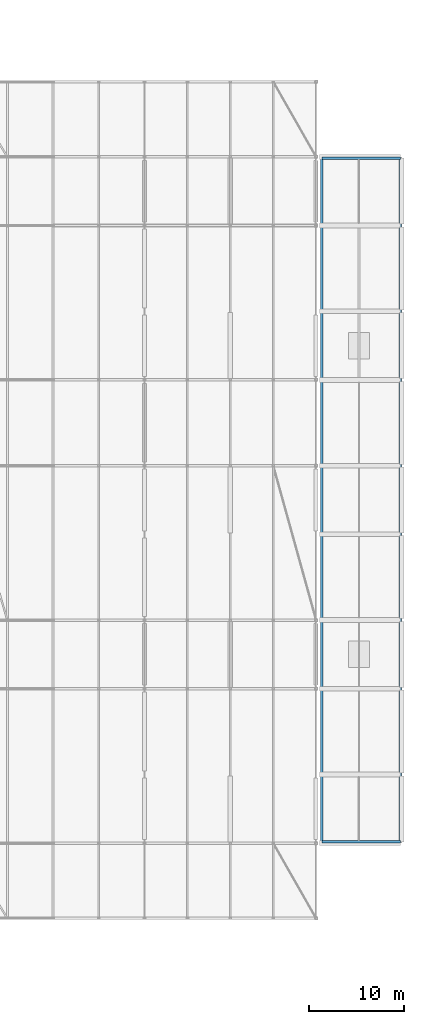
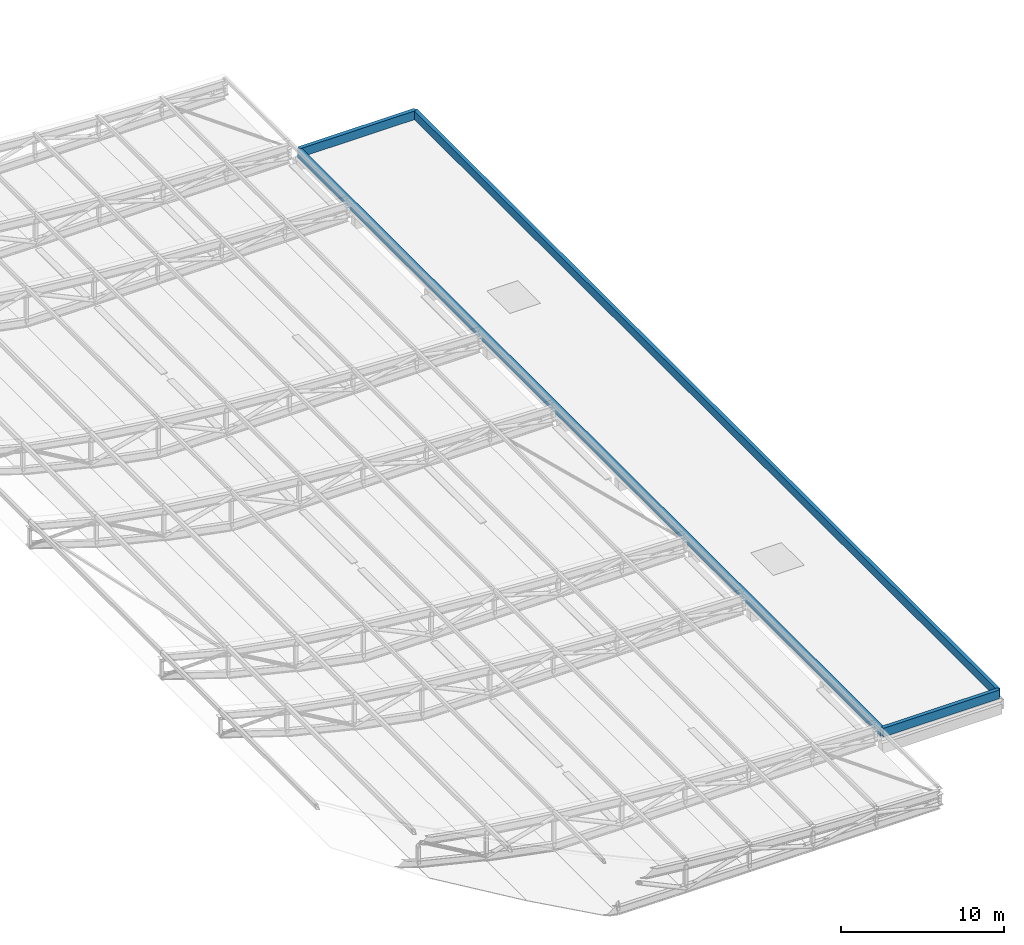
# One storey, part 106 of 114: 4 walls.
"""IFC4 building model written with IfcOpenShell, lengths in metres."""

import ifcopenshell
import ifcopenshell.guid

model = None  # the IFC model being written
_history = None  # IfcOwnerHistory: only IFC2X3 demands one
_inside = {}  # id of a spatial element -> (the spatial element, [elements in it])
_under = {}  # id of a project, library or spatial element -> (it, [spatial elements below it])
_declared = {}  # id of a project -> (the project, [libraries it declares])
_typed = {}  # id of a type object -> (the type object, [elements of that type])
_made_of = {}  # id of a material, layer set ... -> (it, [elements and type objects made of it])


def new_model(schema):
    """Start an empty IFC model of exactly this schema.

    Asked for "IFC4X3", IfcOpenShell would pick the latest addendum, in which some entities
    have other attributes; the version numbers below select the first issue.
    IFC2X3 requires an IfcOwnerHistory on every rooted entity: one is made here for all.
    """
    global model, _history
    if schema == "IFC4X3":
        model = ifcopenshell.file(schema_version=(4, 3, 0, 0))
    else:
        model = ifcopenshell.file(schema=schema)
    _inside.clear()
    _under.clear()
    _declared.clear()
    _typed.clear()
    _made_of.clear()
    _history = None
    if model.schema == "IFC2X3":
        org = make("IfcOrganization", Name="unknown")
        user = make(
            "IfcPersonAndOrganization",
            ThePerson=make("IfcPerson", FamilyName="unknown"),
            TheOrganization=org,
        )
        app = make(
            "IfcApplication",
            ApplicationDeveloper=org,
            Version="unknown",
            ApplicationFullName="unknown",
            ApplicationIdentifier="unknown",
        )
        _history = make(
            "IfcOwnerHistory",
            OwningUser=user,
            OwningApplication=app,
            ChangeAction="ADDED",
            CreationDate=0,
        )
    return model


def make(cls, **values):
    """One entity of the class cls with the attributes given. An attribute that is None is left unset."""
    return model.create_entity(
        cls, **{name: value for name, value in values.items() if value is not None}
    )


def rooted(cls, **values):
    """An entity with a GlobalId (a new one), such as an element, a storey or a relation."""
    return make(cls, GlobalId=ifcopenshell.guid.new(), OwnerHistory=_history, **values)


def si_unit(unit_type, name, prefix=None):
    """IfcSIUnit, for example si_unit("LENGTHUNIT", "METRE", prefix="MILLI")."""
    return make("IfcSIUnit", UnitType=unit_type, Prefix=prefix, Name=name)


def assignment(units):
    """IfcUnitAssignment: the units of a project."""
    return None if units is None else make("IfcUnitAssignment", Units=units)


def point(xyz):
    """IfcCartesianPoint."""
    return None if xyz is None else make("IfcCartesianPoint", Coordinates=xyz)


def direction(xyz):
    """IfcDirection."""
    return None if xyz is None else make("IfcDirection", DirectionRatios=xyz)


def frame(location, z_axis=None, x_axis=None):
    """IfcAxis2Placement3D, a coordinate frame: its origin and axes. An axis left out is left unset."""
    return make(
        "IfcAxis2Placement3D",
        Location=point(location),
        Axis=direction(z_axis),
        RefDirection=direction(x_axis),
    )


def frame_2d(location, x_axis=None):
    """IfcAxis2Placement2D, a coordinate frame in the plane: its origin and x axis."""
    return make(
        "IfcAxis2Placement2D", Location=point(location), RefDirection=direction(x_axis)
    )


def origin():
    """The frame at (0, 0, 0) with its axes left unset."""
    return frame((0.0, 0.0, 0.0))


def place(relative_to, where):
    """IfcLocalPlacement: puts the frame where relative to a parent placement (None: the world)."""
    return make(
        "IfcLocalPlacement", PlacementRelTo=relative_to, RelativePlacement=where
    )


def context(
    kind, dimensions, precision=None, world=None, true_north=None, identifier=None
):
    """IfcGeometricRepresentationContext, for example the 3D "Model" context."""
    return make(
        "IfcGeometricRepresentationContext",
        ContextIdentifier=identifier,
        ContextType=kind,
        CoordinateSpaceDimension=dimensions,
        Precision=precision,
        WorldCoordinateSystem=world,
        TrueNorth=true_north,
    )


def subcontext(parent, identifier, kind, view, scale=None):
    """IfcGeometricRepresentationSubContext, for example "Body" below "Model"."""
    return make(
        "IfcGeometricRepresentationSubContext",
        ContextIdentifier=identifier,
        ContextType=kind,
        ParentContext=parent,
        TargetScale=scale,
        TargetView=view,
    )


def project(units=None, contexts=None):
    """IfcProject with its units and contexts."""
    return rooted(
        "IfcProject",
        Name="project",
        RepresentationContexts=contexts,
        UnitsInContext=assignment(units),
    )


def spatial(cls, under=None, at=None, **own):
    """A site, building, storey or space (cls), placed at a placement, below another one or the project."""
    s = rooted(cls, ObjectPlacement=at, **own)
    if under is not None:
        _under.setdefault(under.id(), (under, []))[1].append(s)
    return s


def profile(cls, at=None, kind="AREA", **sizes):
    """A parametric profile (cls). Its sizes go by their IFC names, for example OverallWidth=200.0."""
    return make(cls, ProfileType=kind, Position=at, **sizes)


def rectangle(**sizes):
    """IfcRectangleProfileDef."""
    return profile("IfcRectangleProfileDef", **sizes)


def extrude(swept, where, along, depth):
    """IfcExtrudedAreaSolid: the profile swept, set in the frame where, extruded along a direction by depth."""
    return make(
        "IfcExtrudedAreaSolid",
        SweptArea=swept,
        Position=where,
        ExtrudedDirection=direction(along),
        Depth=depth,
    )


def shape(context_of_items, identifier, shape_type, items):
    """IfcShapeRepresentation: the items that make up one representation, for example the "Body"."""
    return make(
        "IfcShapeRepresentation",
        ContextOfItems=context_of_items,
        RepresentationIdentifier=identifier,
        RepresentationType=shape_type,
        Items=items,
    )


def material(Name=None, Category=None):
    """IfcMaterial."""
    return make("IfcMaterial", Name=Name, Category=Category)


def layer(
    of_material, thickness, ventilated=None, Name=None, Category=None, Priority=None
):
    """IfcMaterialLayer: one layer of a wall or slab, of a material (None: an air gap)."""
    return make(
        "IfcMaterialLayer",
        Material=of_material,
        LayerThickness=thickness,
        IsVentilated=ventilated,
        Name=Name,
        Category=Category,
        Priority=Priority,
    )


def layer_set(layers, Name=None):
    """IfcMaterialLayerSet."""
    return make("IfcMaterialLayerSet", MaterialLayers=layers, LayerSetName=Name)


def made_of(thing, what):
    """Note that an element or type object is made of a material, layer set ...; save() writes the relation."""
    if what is not None:
        _made_of.setdefault(what.id(), (what, []))[1].append(thing)
    return thing


def type_object(cls, material=None, **own):
    """A type object (cls), such as IfcWallType, which elements share."""
    return made_of(rooted(cls, **own), material)


def element(
    cls,
    number,
    at=None,
    inside=None,
    cuts=None,
    type_object=None,
    material=None,
    context=None,
    identifier="Body",
    shape_type=None,
    held_by="IfcProductDefinitionShape",
    body=None,
    shapes=None,
    **own,
):
    """One element of the class cls, such as IfcWall. Its Tag is "e" and its number.

    at: its placement. inside: the storey or other place that contains it. cuts: it is an
    opening in that element (IfcRelVoidsElement). A single representation is given by context,
    identifier, shape_type and body (its items); several are given by shapes. held_by: the class
    of the entity that holds the representations. save() writes the other relations.
    """
    e = rooted(cls, Tag="e%d" % number, ObjectPlacement=at, **own)
    if body is not None:
        shapes = [shape(context, identifier, shape_type, body)]
    if shapes is not None:
        e.Representation = make(held_by, Representations=shapes)
    if inside is not None:
        _inside.setdefault(inside.id(), (inside, []))[1].append(e)
    if cuts is not None:
        rooted(
            "IfcRelVoidsElement", RelatingBuildingElement=cuts, RelatedOpeningElement=e
        )
    if type_object is not None:
        _typed.setdefault(type_object.id(), (type_object, []))[1].append(e)
    return made_of(e, material)


def aggregate(whole, parts):
    """IfcRelAggregates: a whole, such as a stair, and the parts it consists of."""
    return rooted("IfcRelAggregates", RelatingObject=whole, RelatedObjects=parts)


def save(model, path):
    """Write the relations noted so far, then the file.

    IfcRelAggregates (storeys below a building ...), IfcRelContainedInSpatialStructure (elements
    in a storey), IfcRelDefinesByType, IfcRelAssociatesMaterial and IfcRelDeclares: one each for
    every whole, place, type object, material and project.
    """
    for whole, parts in _under.values():
        aggregate(whole, parts)
    for where, things in _inside.values():
        rooted(
            "IfcRelContainedInSpatialStructure",
            RelatedElements=things,
            RelatingStructure=where,
        )
    for kind, things in _typed.values():
        rooted("IfcRelDefinesByType", RelatedObjects=things, RelatingType=kind)
    for what, things in _made_of.values():
        rooted("IfcRelAssociatesMaterial", RelatedObjects=things, RelatingMaterial=what)
    for by, libraries in _declared.values():
        rooted("IfcRelDeclares", RelatingContext=by, RelatedDefinitions=libraries)
    model.write(path)


model = new_model("IFC4")

# Units and contexts
model_context = context("Model", 3, precision=1e-05, world=origin(), true_north=direction((0.0, 1.0)))
body_context = subcontext(model_context, "Body", "Model", "MODEL_VIEW")
ifc_project = project(units=[si_unit("LENGTHUNIT", "METRE"), si_unit("AREAUNIT", "SQUARE_METRE"), si_unit("VOLUMEUNIT", "CUBIC_METRE"), si_unit("PLANEANGLEUNIT", "RADIAN"), si_unit("MASSUNIT", "GRAM", prefix="KILO"), si_unit("THERMODYNAMICTEMPERATUREUNIT", "KELVIN"), si_unit("POWERUNIT", "WATT")], contexts=[model_context])

# Site, building, storey
site_placement = place(None, origin())
site = spatial("IfcSite", under=ifc_project, at=site_placement, CompositionType="ELEMENT")
building_placement = place(site_placement, origin())
building = spatial("IfcBuilding", under=site, at=building_placement, Name="Sindhuravela Promenade Stadium", CompositionType="ELEMENT")
storey_placement = place(building_placement, frame((0.0, 0.0, 24.0)))
storey = spatial("IfcBuildingStorey", under=building, at=storey_placement, Name="L05", CompositionType="ELEMENT", Elevation=24.0)

# Walls
ifc_material_1 = material(Name="Dholpur sandstone ashlar (45 MPa)", Category="masonry")
ifc_layer_1 = layer(ifc_material_1, 0.25)
ifc_layer_set_1 = layer_set([ifc_layer_1], Name="Dholpur sandstone ashlar (45 MPa)")
wall_type_1 = type_object("IfcWallType", Name="EX-WL-PAR250", PredefinedType="PARAPET", material=ifc_layer_set_1)
for number, where, z_axis, x_axis, name in (
    (1, (198.610107421875, 45.159912109375, 0.0), (0.0, 0.0, 1.0), (0.0, 1.0, 0.0), "Maintenance roof parapet EAST 5"),
    (2, (206.840087890625, 116.840087890625, 0.0), (0.0, 0.0, 1.0), (0.0, -1.0, 0.0), "Maintenance roof parapet EAST 7"),
):
    element("IfcWall", number, at=place(storey_placement, frame(where, z_axis=z_axis, x_axis=x_axis)), inside=storey, type_object=wall_type_1, Name=name, PredefinedType="PARAPET", context=body_context, shape_type="SweptSolid", body=[
        extrude(rectangle(XDim=71.68017578125, YDim=0.25, at=frame_2d((35.840087890625, 0.0))), origin(), (0.0, 0.0, 1.0), 0.64990234375),
    ])
ifc_material_2 = material(Name="Terracotta clay brick masonry (15 MPa)", Category="masonry")
ifc_layer_2 = layer(ifc_material_2, 0.27001953125)
ifc_layer_set_2 = layer_set([ifc_layer_2], Name="Terracotta clay brick masonry (15 MPa)")
wall_type_2 = type_object("IfcWallType", Name="EX-WL-PAR270", PredefinedType="PARAPET", material=ifc_layer_set_2)
for number, where, z_axis, x_axis, name in (
    (3, (198.610107421875, 116.840087890625, 0.0), (0.0, 0.0, 1.0), (1.0, 0.0, 0.0), "Maintenance roof parapet EAST 6"),
    (4, (206.840087890625, 45.159912109375, 0.0), (0.0, 0.0, 1.0), (-1.0, 0.0, 0.0), "Maintenance roof parapet EAST 8"),
):
    element("IfcWall", number, at=place(storey_placement, frame(where, z_axis=z_axis, x_axis=x_axis)), inside=storey, type_object=wall_type_2, Name=name, PredefinedType="PARAPET", context=body_context, shape_type="SweptSolid", body=[
        extrude(rectangle(XDim=8.22998046875, YDim=0.27001953125, at=frame_2d((4.114990234375, 0.0))), origin(), (0.0, 0.0, 1.0), 0.64990234375),
    ])

save(model, "model.ifc")
